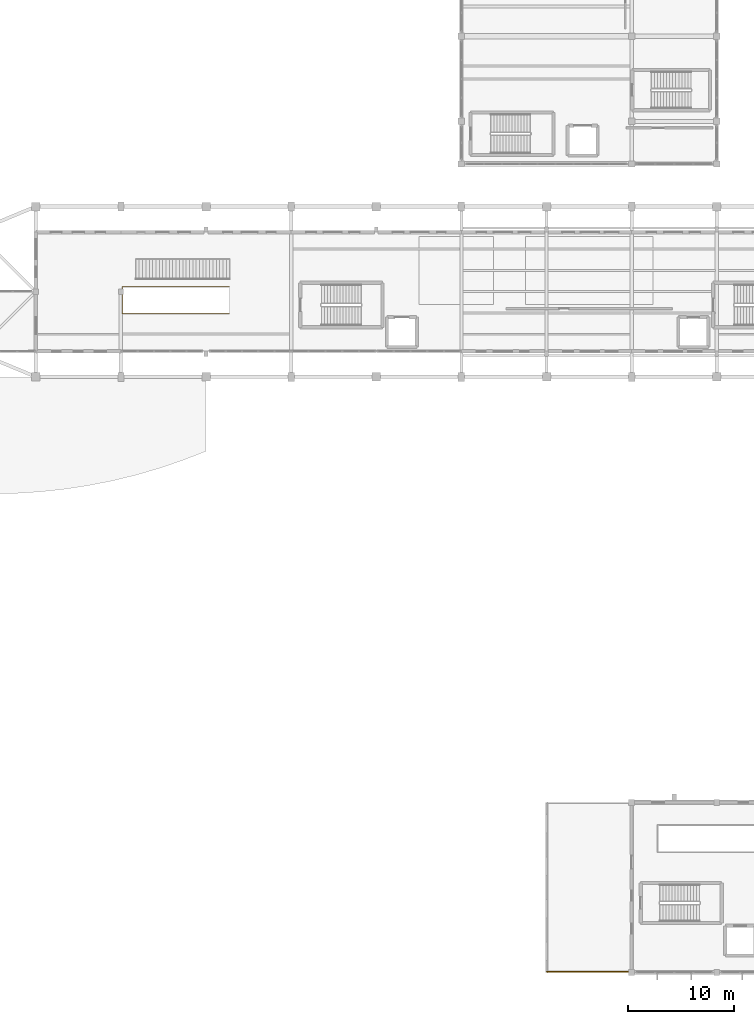
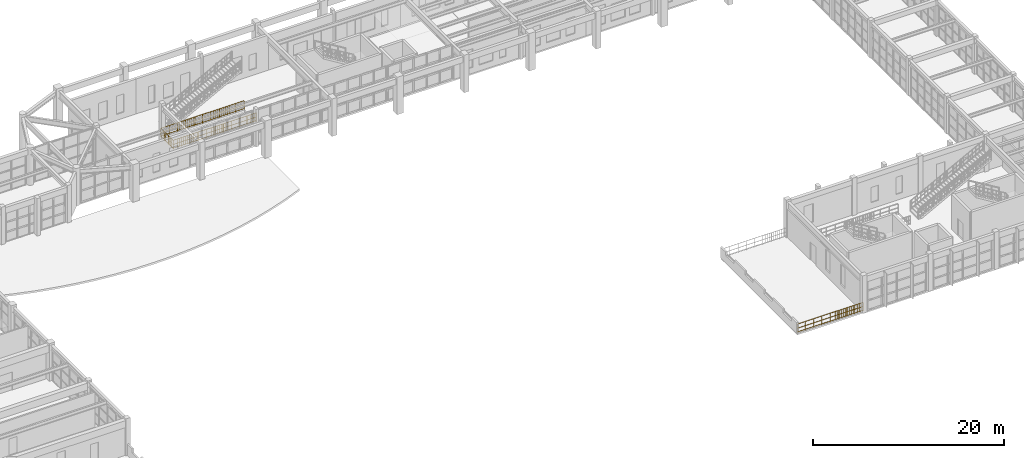
# One storey, part 52 of 59: 2 railings.
"""IFC4 building model written with IfcOpenShell, lengths in metres."""

from ifc_helpers import new_model, si_unit, direction, frame, origin, origin_2d, place, context, subcontext, project, spatial, rectangle, extrude, material, layer, layer_set, type_object, element, save


model = new_model("IFC4")

# Units and contexts
model_context = context("Model", 3, precision=1e-05, world=origin(), true_north=direction((0.0, 1.0)))
body_context = subcontext(model_context, "Body", "Model", "MODEL_VIEW")
ifc_project = project(units=[si_unit("LENGTHUNIT", "METRE"), si_unit("AREAUNIT", "SQUARE_METRE"), si_unit("VOLUMEUNIT", "CUBIC_METRE"), si_unit("PLANEANGLEUNIT", "RADIAN"), si_unit("MASSUNIT", "GRAM", prefix="KILO")], contexts=[model_context])

# Site, building, storey
site_placement = place(None, origin())
site = spatial("IfcSite", under=ifc_project, at=site_placement, CompositionType="ELEMENT")
building_placement = place(site_placement, origin())
building = spatial("IfcBuilding", under=site, at=building_placement, Name="Serraluz Foothill Cableway Terminal", CompositionType="ELEMENT")
storey_placement = place(building_placement, frame((0.0, 0.0, 4.800048828125)))
storey = spatial("IfcBuildingStorey", under=building, at=storey_placement, Name="L01", CompositionType="ELEMENT", Elevation=4.800048828125)

# Railings
ifc_material = material(Name="Steel ASTM A572 Grade 50", Category="steel")
ifc_layer_1 = layer(ifc_material, 0.06005859375, Name="Steel ASTM A572 Grade 50", Category="steel")
ifc_layer_set_1 = layer_set([ifc_layer_1], Name="Steel ASTM A572 Grade 50")
railing_type_1 = type_object("IfcRailingType", Name="TYP-RL-BAL-1150", PredefinedType="BALUSTRADE", material=ifc_layer_set_1)
railing_1_placement = place(storey_placement, frame((88.0, 0.080078125, 0.0)))
element("IfcRailing", 1, at=railing_1_placement, inside=storey, type_object=railing_type_1, Name="BALUSTRADE BAL-TER-L01-V3-2", PredefinedType="BALUSTRADE", context=body_context, shape_type="SweptSolid", body=[
    extrude(rectangle(XDim=0.048095703125, YDim=0.048095703125, at=origin_2d()), frame((0.0, 0.0, 1.1259765625), z_axis=(1.0, 0.0, 0.0), x_axis=(0.0, 1.0, 0.0)), (0.0, 0.0, 1.0), 8.0),
    extrude(rectangle(XDim=0.048095703125, YDim=0.048095703125, at=origin_2d()), frame((0.0, 0.0, 0.597900390625), z_axis=(1.0, 0.0, 0.0), x_axis=(0.0, 1.0, 0.0)), (0.0, 0.0, 1.0), 8.0),
    extrude(rectangle(XDim=0.048095703125, YDim=0.048095703125, at=origin_2d()), frame((0.0, 0.0, 0.1201171875), z_axis=(1.0, 0.0, 0.0), x_axis=(0.0, 1.0, 0.0)), (0.0, 0.0, 1.0), 8.0),
    extrude(rectangle(XDim=0.02001953125, YDim=0.02001953125, at=origin_2d()), frame((0.242431640625, 0.0, 0.1201171875)), (0.0, 0.0, 1.0), 0.981689453125),
    extrude(rectangle(XDim=0.02001953125, YDim=0.02001953125, at=origin_2d()), frame((0.48486328125, 0.0, 0.1201171875)), (0.0, 0.0, 1.0), 0.981689453125),
    extrude(rectangle(XDim=0.02001953125, YDim=0.02001953125, at=origin_2d()), frame((0.727294921875, 0.0, 0.1201171875)), (0.0, 0.0, 1.0), 0.981689453125),
    extrude(rectangle(XDim=0.02001953125, YDim=0.02001953125, at=origin_2d()), frame((1.212158203125, 0.0, 0.1201171875)), (0.0, 0.0, 1.0), 0.981689453125),
    extrude(rectangle(XDim=0.02001953125, YDim=0.02001953125, at=origin_2d()), frame((1.45458984375, 0.0, 0.1201171875)), (0.0, 0.0, 1.0), 0.981689453125),
    extrude(rectangle(XDim=0.02001953125, YDim=0.02001953125, at=origin_2d()), frame((1.697021484375, 0.0, 0.1201171875)), (0.0, 0.0, 1.0), 0.981689453125),
    extrude(rectangle(XDim=0.02001953125, YDim=0.02001953125, at=origin_2d()), frame((1.939453125, 0.0, 0.1201171875)), (0.0, 0.0, 1.0), 0.981689453125),
    extrude(rectangle(XDim=0.02001953125, YDim=0.02001953125, at=origin_2d()), frame((2.181884765625, 0.0, 0.1201171875)), (0.0, 0.0, 1.0), 0.981689453125),
    extrude(rectangle(XDim=0.02001953125, YDim=0.02001953125, at=origin_2d()), frame((2.42431640625, 0.0, 0.1201171875)), (0.0, 0.0, 1.0), 0.981689453125),
    extrude(rectangle(XDim=0.02001953125, YDim=0.02001953125, at=origin_2d()), frame((2.666748046875, 0.0, 0.1201171875)), (0.0, 0.0, 1.0), 0.981689453125),
    extrude(rectangle(XDim=0.02001953125, YDim=0.02001953125, at=origin_2d()), frame((2.9091796875, 0.0, 0.1201171875)), (0.0, 0.0, 1.0), 0.981689453125),
    extrude(rectangle(XDim=0.02001953125, YDim=0.02001953125, at=origin_2d()), frame((3.151611328125, 0.0, 0.1201171875)), (0.0, 0.0, 1.0), 0.981689453125),
    extrude(rectangle(XDim=0.02001953125, YDim=0.02001953125, at=origin_2d()), frame((3.39404296875, 0.0, 0.1201171875)), (0.0, 0.0, 1.0), 0.981689453125),
    extrude(rectangle(XDim=0.02001953125, YDim=0.02001953125, at=origin_2d()), frame((3.636474609375, 0.0, 0.1201171875)), (0.0, 0.0, 1.0), 0.981689453125),
    extrude(rectangle(XDim=0.02001953125, YDim=0.02001953125, at=origin_2d()), frame((3.87890625, 0.0, 0.1201171875)), (0.0, 0.0, 1.0), 0.981689453125),
    extrude(rectangle(XDim=0.02001953125, YDim=0.02001953125, at=origin_2d()), frame((4.12109375, 0.0, 0.1201171875)), (0.0, 0.0, 1.0), 0.981689453125),
    extrude(rectangle(XDim=0.02001953125, YDim=0.02001953125, at=origin_2d()), frame((4.363525390625, 0.0, 0.1201171875)), (0.0, 0.0, 1.0), 0.981689453125),
    extrude(rectangle(XDim=0.02001953125, YDim=0.02001953125, at=origin_2d()), frame((4.60595703125, 0.0, 0.1201171875)), (0.0, 0.0, 1.0), 0.981689453125),
    extrude(rectangle(XDim=0.02001953125, YDim=0.02001953125, at=origin_2d()), frame((4.848388671875, 0.0, 0.1201171875)), (0.0, 0.0, 1.0), 0.981689453125),
    extrude(rectangle(XDim=0.02001953125, YDim=0.02001953125, at=origin_2d()), frame((5.0908203125, 0.0, 0.1201171875)), (0.0, 0.0, 1.0), 0.981689453125),
    extrude(rectangle(XDim=0.02001953125, YDim=0.02001953125, at=origin_2d()), frame((5.333251953125, 0.0, 0.1201171875)), (0.0, 0.0, 1.0), 0.981689453125),
    extrude(rectangle(XDim=0.02001953125, YDim=0.02001953125, at=origin_2d()), frame((5.57568359375, 0.0, 0.1201171875)), (0.0, 0.0, 1.0), 0.981689453125),
    extrude(rectangle(XDim=0.02001953125, YDim=0.02001953125, at=origin_2d()), frame((5.818115234375, 0.0, 0.1201171875)), (0.0, 0.0, 1.0), 0.981689453125),
    extrude(rectangle(XDim=0.02001953125, YDim=0.02001953125, at=origin_2d()), frame((6.060546875, 0.0, 0.1201171875)), (0.0, 0.0, 1.0), 0.981689453125),
    extrude(rectangle(XDim=0.02001953125, YDim=0.02001953125, at=origin_2d()), frame((6.302978515625, 0.0, 0.1201171875)), (0.0, 0.0, 1.0), 0.981689453125),
    extrude(rectangle(XDim=0.02001953125, YDim=0.02001953125, at=origin_2d()), frame((6.54541015625, 0.0, 0.1201171875)), (0.0, 0.0, 1.0), 0.981689453125),
    extrude(rectangle(XDim=0.02001953125, YDim=0.02001953125, at=origin_2d()), frame((6.787841796875, 0.0, 0.1201171875)), (0.0, 0.0, 1.0), 0.981689453125),
    extrude(rectangle(XDim=0.02001953125, YDim=0.02001953125, at=origin_2d()), frame((7.272705078125, 0.0, 0.1201171875)), (0.0, 0.0, 1.0), 0.981689453125),
    extrude(rectangle(XDim=0.02001953125, YDim=0.02001953125, at=origin_2d()), frame((7.51513671875, 0.0, 0.1201171875)), (0.0, 0.0, 1.0), 0.981689453125),
    extrude(rectangle(XDim=0.02001953125, YDim=0.02001953125, at=origin_2d()), frame((7.757568359375, 0.0, 0.1201171875)), (0.0, 0.0, 1.0), 0.981689453125),
    extrude(rectangle(XDim=0.0439453125, YDim=0.0439453125, at=origin_2d()), origin(), (0.0, 0.0, 1.0), 1.101806640625),
    extrude(rectangle(XDim=0.0439453125, YDim=0.0439453125, at=origin_2d()), frame((1.0, 0.0, 0.0)), (0.0, 0.0, 1.0), 1.101806640625),
    extrude(rectangle(XDim=0.0439453125, YDim=0.0439453125, at=origin_2d()), frame((2.0, 0.0, 0.0)), (0.0, 0.0, 1.0), 1.101806640625),
    extrude(rectangle(XDim=0.0439453125, YDim=0.0439453125, at=origin_2d()), frame((3.0, 0.0, 0.0)), (0.0, 0.0, 1.0), 1.101806640625),
    extrude(rectangle(XDim=0.0439453125, YDim=0.0439453125, at=origin_2d()), frame((4.0, 0.0, 0.0)), (0.0, 0.0, 1.0), 1.101806640625),
    extrude(rectangle(XDim=0.0439453125, YDim=0.0439453125, at=origin_2d()), frame((5.0, 0.0, 0.0)), (0.0, 0.0, 1.0), 1.101806640625),
    extrude(rectangle(XDim=0.0439453125, YDim=0.0439453125, at=origin_2d()), frame((6.0, 0.0, 0.0)), (0.0, 0.0, 1.0), 1.101806640625),
    extrude(rectangle(XDim=0.0439453125, YDim=0.0439453125, at=origin_2d()), frame((7.0, 0.0, 0.0)), (0.0, 0.0, 1.0), 1.101806640625),
    extrude(rectangle(XDim=0.0439453125, YDim=0.0439453125, at=origin_2d()), frame((8.0, 0.0, 0.0)), (0.0, 0.0, 1.0), 1.101806640625),
])
ifc_layer_2 = layer(ifc_material, 0.054931640625, Name="Steel ASTM A572 Grade 50", Category="steel")
ifc_layer_set_2 = layer_set([ifc_layer_2], Name="Steel ASTM A572 Grade 50")
railing_type_2 = type_object("IfcRailingType", Name="TYP-RL-GRD-1150", PredefinedType="GUARDRAIL", material=ifc_layer_set_2)
railing_2_placement = place(storey_placement, frame((58.199951171875, 61.919921875, 0.0)))
element("IfcRailing", 2, at=railing_2_placement, inside=storey, type_object=railing_type_2, Name="GUARDRAIL ST-F01 Upper Well", PredefinedType="GUARDRAIL", context=body_context, shape_type="SweptSolid", body=[
    extrude(rectangle(XDim=0.048095703125, YDim=0.048095703125, at=origin_2d()), frame((0.0, 0.0, 1.1259765625), z_axis=(-1.0, 0.0, 0.0), x_axis=(0.0, -1.0, 0.0)), (0.0, 0.0, 1.0), 10.079833984375),
    extrude(rectangle(XDim=0.048095703125, YDim=0.048095703125, at=origin_2d()), frame((0.0, 0.0, 0.597900390625), z_axis=(-1.0, 0.0, 0.0), x_axis=(0.0, -1.0, 0.0)), (0.0, 0.0, 1.0), 10.079833984375),
    extrude(rectangle(XDim=0.048095703125, YDim=0.048095703125, at=origin_2d()), frame((0.0, 0.0, 0.1201171875), z_axis=(-1.0, 0.0, 0.0), x_axis=(0.0, -1.0, 0.0)), (0.0, 0.0, 1.0), 10.079833984375),
    extrude(rectangle(XDim=0.02001953125, YDim=0.02001953125, at=origin_2d()), frame((-0.245849609375, 0.0, 0.1201171875)), (0.0, 0.0, 1.0), 0.981689453125),
    extrude(rectangle(XDim=0.02001953125, YDim=0.02001953125, at=origin_2d()), frame((-0.49169921875, 0.0, 0.1201171875)), (0.0, 0.0, 1.0), 0.981689453125),
    extrude(rectangle(XDim=0.02001953125, YDim=0.02001953125, at=origin_2d()), frame((-0.737548828125, 0.0, 0.1201171875)), (0.0, 0.0, 1.0), 0.981689453125),
    extrude(rectangle(XDim=0.02001953125, YDim=0.02001953125, at=origin_2d()), frame((-1.229248046875, 0.0, 0.1201171875)), (0.0, 0.0, 1.0), 0.981689453125),
    extrude(rectangle(XDim=0.02001953125, YDim=0.02001953125, at=origin_2d()), frame((-1.47509765625, 0.0, 0.1201171875)), (0.0, 0.0, 1.0), 0.981689453125),
    extrude(rectangle(XDim=0.02001953125, YDim=0.02001953125, at=origin_2d()), frame((-1.720947265625, 0.0, 0.1201171875)), (0.0, 0.0, 1.0), 0.981689453125),
    extrude(rectangle(XDim=0.02001953125, YDim=0.02001953125, at=origin_2d()), frame((-2.212646484375, 0.0, 0.1201171875)), (0.0, 0.0, 1.0), 0.981689453125),
    extrude(rectangle(XDim=0.02001953125, YDim=0.02001953125, at=origin_2d()), frame((-2.45849609375, 0.0, 0.1201171875)), (0.0, 0.0, 1.0), 0.981689453125),
    extrude(rectangle(XDim=0.02001953125, YDim=0.02001953125, at=origin_2d()), frame((-2.704345703125, 0.0, 0.1201171875)), (0.0, 0.0, 1.0), 0.981689453125),
    extrude(rectangle(XDim=0.02001953125, YDim=0.02001953125, at=origin_2d()), frame((-2.9501953125, 0.0, 0.1201171875)), (0.0, 0.0, 1.0), 0.981689453125),
    extrude(rectangle(XDim=0.02001953125, YDim=0.02001953125, at=origin_2d()), frame((-3.196044921875, 0.0, 0.1201171875)), (0.0, 0.0, 1.0), 0.981689453125),
    extrude(rectangle(XDim=0.02001953125, YDim=0.02001953125, at=origin_2d()), frame((-3.44189453125, 0.0, 0.1201171875)), (0.0, 0.0, 1.0), 0.981689453125),
    extrude(rectangle(XDim=0.02001953125, YDim=0.02001953125, at=origin_2d()), frame((-3.687744140625, 0.0, 0.1201171875)), (0.0, 0.0, 1.0), 0.981689453125),
    extrude(rectangle(XDim=0.02001953125, YDim=0.02001953125, at=origin_2d()), frame((-3.93359375, 0.0, 0.1201171875)), (0.0, 0.0, 1.0), 0.981689453125),
    extrude(rectangle(XDim=0.02001953125, YDim=0.02001953125, at=origin_2d()), frame((-4.179443359375, 0.0, 0.1201171875)), (0.0, 0.0, 1.0), 0.981689453125),
    extrude(rectangle(XDim=0.02001953125, YDim=0.02001953125, at=origin_2d()), frame((-4.42529296875, 0.0, 0.1201171875)), (0.0, 0.0, 1.0), 0.981689453125),
    extrude(rectangle(XDim=0.02001953125, YDim=0.02001953125, at=origin_2d()), frame((-4.671142578125, 0.0, 0.1201171875)), (0.0, 0.0, 1.0), 0.981689453125),
    extrude(rectangle(XDim=0.02001953125, YDim=0.02001953125, at=origin_2d()), frame((-4.9169921875, 0.0, 0.1201171875)), (0.0, 0.0, 1.0), 0.981689453125),
    extrude(rectangle(XDim=0.02001953125, YDim=0.02001953125, at=origin_2d()), frame((-5.162841796875, 0.0, 0.1201171875)), (0.0, 0.0, 1.0), 0.981689453125),
    extrude(rectangle(XDim=0.02001953125, YDim=0.02001953125, at=origin_2d()), frame((-5.40869140625, 0.0, 0.1201171875)), (0.0, 0.0, 1.0), 0.981689453125),
    extrude(rectangle(XDim=0.02001953125, YDim=0.02001953125, at=origin_2d()), frame((-5.654541015625, 0.0, 0.1201171875)), (0.0, 0.0, 1.0), 0.981689453125),
    extrude(rectangle(XDim=0.02001953125, YDim=0.02001953125, at=origin_2d()), frame((-5.900390625, 0.0, 0.1201171875)), (0.0, 0.0, 1.0), 0.981689453125),
    extrude(rectangle(XDim=0.02001953125, YDim=0.02001953125, at=origin_2d()), frame((-6.146240234375, 0.0, 0.1201171875)), (0.0, 0.0, 1.0), 0.981689453125),
    extrude(rectangle(XDim=0.02001953125, YDim=0.02001953125, at=origin_2d()), frame((-6.39208984375, 0.0, 0.1201171875)), (0.0, 0.0, 1.0), 0.981689453125),
    extrude(rectangle(XDim=0.02001953125, YDim=0.02001953125, at=origin_2d()), frame((-6.637939453125, 0.0, 0.1201171875)), (0.0, 0.0, 1.0), 0.981689453125),
    extrude(rectangle(XDim=0.02001953125, YDim=0.02001953125, at=origin_2d()), frame((-6.8837890625, 0.0, 0.1201171875)), (0.0, 0.0, 1.0), 0.981689453125),
    extrude(rectangle(XDim=0.02001953125, YDim=0.02001953125, at=origin_2d()), frame((-7.129638671875, 0.0, 0.1201171875)), (0.0, 0.0, 1.0), 0.981689453125),
    extrude(rectangle(XDim=0.02001953125, YDim=0.02001953125, at=origin_2d()), frame((-7.37548828125, 0.0, 0.1201171875)), (0.0, 0.0, 1.0), 0.981689453125),
    extrude(rectangle(XDim=0.02001953125, YDim=0.02001953125, at=origin_2d()), frame((-7.621337890625, 0.0, 0.1201171875)), (0.0, 0.0, 1.0), 0.981689453125),
    extrude(rectangle(XDim=0.02001953125, YDim=0.02001953125, at=origin_2d()), frame((-7.8671875, 0.0, 0.1201171875)), (0.0, 0.0, 1.0), 0.981689453125),
    extrude(rectangle(XDim=0.02001953125, YDim=0.02001953125, at=origin_2d()), frame((-8.35888671875, 0.0, 0.1201171875)), (0.0, 0.0, 1.0), 0.981689453125),
    extrude(rectangle(XDim=0.02001953125, YDim=0.02001953125, at=origin_2d()), frame((-8.604736328125, 0.0, 0.1201171875)), (0.0, 0.0, 1.0), 0.981689453125),
    extrude(rectangle(XDim=0.02001953125, YDim=0.02001953125, at=origin_2d()), frame((-8.8505859375, 0.0, 0.1201171875)), (0.0, 0.0, 1.0), 0.981689453125),
    extrude(rectangle(XDim=0.02001953125, YDim=0.02001953125, at=origin_2d()), frame((-9.34228515625, 0.0, 0.1201171875)), (0.0, 0.0, 1.0), 0.981689453125),
    extrude(rectangle(XDim=0.02001953125, YDim=0.02001953125, at=origin_2d()), frame((-9.588134765625, 0.0, 0.1201171875)), (0.0, 0.0, 1.0), 0.981689453125),
    extrude(rectangle(XDim=0.02001953125, YDim=0.02001953125, at=origin_2d()), frame((-9.833984375, 0.0, 0.1201171875)), (0.0, 0.0, 1.0), 0.981689453125),
    extrude(rectangle(XDim=0.048095703125, YDim=0.048095703125, at=origin_2d()), frame((-10.079833984375, 0.0, 1.1259765625), z_axis=(0.0, 1.0, 0.0), x_axis=(-1.0, 0.0, 0.0)), (0.0, 0.0, 1.0), 2.56005859375),
    extrude(rectangle(XDim=0.048095703125, YDim=0.048095703125, at=origin_2d()), frame((-10.079833984375, 0.0, 0.597900390625), z_axis=(0.0, 1.0, 0.0), x_axis=(-1.0, 0.0, 0.0)), (0.0, 0.0, 1.0), 2.56005859375),
    extrude(rectangle(XDim=0.048095703125, YDim=0.048095703125, at=origin_2d()), frame((-10.079833984375, 0.0, 0.1201171875), z_axis=(0.0, 1.0, 0.0), x_axis=(-1.0, 0.0, 0.0)), (0.0, 0.0, 1.0), 2.56005859375),
    extrude(rectangle(XDim=0.02001953125, YDim=0.02001953125, at=origin_2d()), frame((-10.079833984375, 0.256103515625, 0.1201171875)), (0.0, 0.0, 1.0), 0.981689453125),
    extrude(rectangle(XDim=0.02001953125, YDim=0.02001953125, at=origin_2d()), frame((-10.079833984375, 0.511962890625, 0.1201171875)), (0.0, 0.0, 1.0), 0.981689453125),
    extrude(rectangle(XDim=0.02001953125, YDim=0.02001953125, at=origin_2d()), frame((-10.079833984375, 0.76806640625, 0.1201171875)), (0.0, 0.0, 1.0), 0.981689453125),
    extrude(rectangle(XDim=0.02001953125, YDim=0.02001953125, at=origin_2d()), frame((-10.079833984375, 1.02392578125, 0.1201171875)), (0.0, 0.0, 1.0), 0.981689453125),
    extrude(rectangle(XDim=0.02001953125, YDim=0.02001953125, at=origin_2d()), frame((-10.079833984375, 1.280029296875, 0.1201171875)), (0.0, 0.0, 1.0), 0.981689453125),
    extrude(rectangle(XDim=0.02001953125, YDim=0.02001953125, at=origin_2d()), frame((-10.079833984375, 1.5361328125, 0.1201171875)), (0.0, 0.0, 1.0), 0.981689453125),
    extrude(rectangle(XDim=0.02001953125, YDim=0.02001953125, at=origin_2d()), frame((-10.079833984375, 1.7919921875, 0.1201171875)), (0.0, 0.0, 1.0), 0.981689453125),
    extrude(rectangle(XDim=0.02001953125, YDim=0.02001953125, at=origin_2d()), frame((-10.079833984375, 2.048095703125, 0.1201171875)), (0.0, 0.0, 1.0), 0.981689453125),
    extrude(rectangle(XDim=0.02001953125, YDim=0.02001953125, at=origin_2d()), frame((-10.079833984375, 2.303955078125, 0.1201171875)), (0.0, 0.0, 1.0), 0.981689453125),
    extrude(rectangle(XDim=0.048095703125, YDim=0.048095703125, at=origin_2d()), frame((-10.079833984375, 2.56005859375, 1.1259765625), z_axis=(1.0, 0.0, 0.0), x_axis=(0.0, 1.0, 0.0)), (0.0, 0.0, 1.0), 10.079833984375),
    extrude(rectangle(XDim=0.048095703125, YDim=0.048095703125, at=origin_2d()), frame((-10.079833984375, 2.56005859375, 0.597900390625), z_axis=(1.0, 0.0, 0.0), x_axis=(0.0, 1.0, 0.0)), (0.0, 0.0, 1.0), 10.079833984375),
    extrude(rectangle(XDim=0.048095703125, YDim=0.048095703125, at=origin_2d()), frame((-10.079833984375, 2.56005859375, 0.1201171875), z_axis=(1.0, 0.0, 0.0), x_axis=(0.0, 1.0, 0.0)), (0.0, 0.0, 1.0), 10.079833984375),
    extrude(rectangle(XDim=0.02001953125, YDim=0.02001953125, at=origin_2d()), frame((-9.833984375, 2.56005859375, 0.1201171875)), (0.0, 0.0, 1.0), 0.981689453125),
    extrude(rectangle(XDim=0.02001953125, YDim=0.02001953125, at=origin_2d()), frame((-9.588134765625, 2.56005859375, 0.1201171875)), (0.0, 0.0, 1.0), 0.981689453125),
    extrude(rectangle(XDim=0.02001953125, YDim=0.02001953125, at=origin_2d()), frame((-9.34228515625, 2.56005859375, 0.1201171875)), (0.0, 0.0, 1.0), 0.981689453125),
    extrude(rectangle(XDim=0.02001953125, YDim=0.02001953125, at=origin_2d()), frame((-8.8505859375, 2.56005859375, 0.1201171875)), (0.0, 0.0, 1.0), 0.981689453125),
    extrude(rectangle(XDim=0.02001953125, YDim=0.02001953125, at=origin_2d()), frame((-8.604736328125, 2.56005859375, 0.1201171875)), (0.0, 0.0, 1.0), 0.981689453125),
    extrude(rectangle(XDim=0.02001953125, YDim=0.02001953125, at=origin_2d()), frame((-8.35888671875, 2.56005859375, 0.1201171875)), (0.0, 0.0, 1.0), 0.981689453125),
    extrude(rectangle(XDim=0.02001953125, YDim=0.02001953125, at=origin_2d()), frame((-7.8671875, 2.56005859375, 0.1201171875)), (0.0, 0.0, 1.0), 0.981689453125),
    extrude(rectangle(XDim=0.02001953125, YDim=0.02001953125, at=origin_2d()), frame((-7.621337890625, 2.56005859375, 0.1201171875)), (0.0, 0.0, 1.0), 0.981689453125),
    extrude(rectangle(XDim=0.02001953125, YDim=0.02001953125, at=origin_2d()), frame((-7.37548828125, 2.56005859375, 0.1201171875)), (0.0, 0.0, 1.0), 0.981689453125),
    extrude(rectangle(XDim=0.02001953125, YDim=0.02001953125, at=origin_2d()), frame((-7.129638671875, 2.56005859375, 0.1201171875)), (0.0, 0.0, 1.0), 0.981689453125),
    extrude(rectangle(XDim=0.02001953125, YDim=0.02001953125, at=origin_2d()), frame((-6.8837890625, 2.56005859375, 0.1201171875)), (0.0, 0.0, 1.0), 0.981689453125),
    extrude(rectangle(XDim=0.02001953125, YDim=0.02001953125, at=origin_2d()), frame((-6.637939453125, 2.56005859375, 0.1201171875)), (0.0, 0.0, 1.0), 0.981689453125),
    extrude(rectangle(XDim=0.02001953125, YDim=0.02001953125, at=origin_2d()), frame((-6.39208984375, 2.56005859375, 0.1201171875)), (0.0, 0.0, 1.0), 0.981689453125),
    extrude(rectangle(XDim=0.02001953125, YDim=0.02001953125, at=origin_2d()), frame((-6.146240234375, 2.56005859375, 0.1201171875)), (0.0, 0.0, 1.0), 0.981689453125),
    extrude(rectangle(XDim=0.02001953125, YDim=0.02001953125, at=origin_2d()), frame((-5.900390625, 2.56005859375, 0.1201171875)), (0.0, 0.0, 1.0), 0.981689453125),
    extrude(rectangle(XDim=0.02001953125, YDim=0.02001953125, at=origin_2d()), frame((-5.654541015625, 2.56005859375, 0.1201171875)), (0.0, 0.0, 1.0), 0.981689453125),
    extrude(rectangle(XDim=0.02001953125, YDim=0.02001953125, at=origin_2d()), frame((-5.40869140625, 2.56005859375, 0.1201171875)), (0.0, 0.0, 1.0), 0.981689453125),
    extrude(rectangle(XDim=0.02001953125, YDim=0.02001953125, at=origin_2d()), frame((-5.162841796875, 2.56005859375, 0.1201171875)), (0.0, 0.0, 1.0), 0.981689453125),
    extrude(rectangle(XDim=0.02001953125, YDim=0.02001953125, at=origin_2d()), frame((-4.9169921875, 2.56005859375, 0.1201171875)), (0.0, 0.0, 1.0), 0.981689453125),
    extrude(rectangle(XDim=0.02001953125, YDim=0.02001953125, at=origin_2d()), frame((-4.671142578125, 2.56005859375, 0.1201171875)), (0.0, 0.0, 1.0), 0.981689453125),
    extrude(rectangle(XDim=0.02001953125, YDim=0.02001953125, at=origin_2d()), frame((-4.42529296875, 2.56005859375, 0.1201171875)), (0.0, 0.0, 1.0), 0.981689453125),
    extrude(rectangle(XDim=0.02001953125, YDim=0.02001953125, at=origin_2d()), frame((-4.179443359375, 2.56005859375, 0.1201171875)), (0.0, 0.0, 1.0), 0.981689453125),
    extrude(rectangle(XDim=0.02001953125, YDim=0.02001953125, at=origin_2d()), frame((-3.93359375, 2.56005859375, 0.1201171875)), (0.0, 0.0, 1.0), 0.981689453125),
    extrude(rectangle(XDim=0.02001953125, YDim=0.02001953125, at=origin_2d()), frame((-3.687744140625, 2.56005859375, 0.1201171875)), (0.0, 0.0, 1.0), 0.981689453125),
    extrude(rectangle(XDim=0.02001953125, YDim=0.02001953125, at=origin_2d()), frame((-3.44189453125, 2.56005859375, 0.1201171875)), (0.0, 0.0, 1.0), 0.981689453125),
    extrude(rectangle(XDim=0.02001953125, YDim=0.02001953125, at=origin_2d()), frame((-3.196044921875, 2.56005859375, 0.1201171875)), (0.0, 0.0, 1.0), 0.981689453125),
    extrude(rectangle(XDim=0.02001953125, YDim=0.02001953125, at=origin_2d()), frame((-2.9501953125, 2.56005859375, 0.1201171875)), (0.0, 0.0, 1.0), 0.981689453125),
    extrude(rectangle(XDim=0.02001953125, YDim=0.02001953125, at=origin_2d()), frame((-2.704345703125, 2.56005859375, 0.1201171875)), (0.0, 0.0, 1.0), 0.981689453125),
    extrude(rectangle(XDim=0.02001953125, YDim=0.02001953125, at=origin_2d()), frame((-2.45849609375, 2.56005859375, 0.1201171875)), (0.0, 0.0, 1.0), 0.981689453125),
    extrude(rectangle(XDim=0.02001953125, YDim=0.02001953125, at=origin_2d()), frame((-2.212646484375, 2.56005859375, 0.1201171875)), (0.0, 0.0, 1.0), 0.981689453125),
    extrude(rectangle(XDim=0.02001953125, YDim=0.02001953125, at=origin_2d()), frame((-1.720947265625, 2.56005859375, 0.1201171875)), (0.0, 0.0, 1.0), 0.981689453125),
    extrude(rectangle(XDim=0.02001953125, YDim=0.02001953125, at=origin_2d()), frame((-1.47509765625, 2.56005859375, 0.1201171875)), (0.0, 0.0, 1.0), 0.981689453125),
    extrude(rectangle(XDim=0.02001953125, YDim=0.02001953125, at=origin_2d()), frame((-1.229248046875, 2.56005859375, 0.1201171875)), (0.0, 0.0, 1.0), 0.981689453125),
    extrude(rectangle(XDim=0.02001953125, YDim=0.02001953125, at=origin_2d()), frame((-0.737548828125, 2.56005859375, 0.1201171875)), (0.0, 0.0, 1.0), 0.981689453125),
    extrude(rectangle(XDim=0.02001953125, YDim=0.02001953125, at=origin_2d()), frame((-0.49169921875, 2.56005859375, 0.1201171875)), (0.0, 0.0, 1.0), 0.981689453125),
    extrude(rectangle(XDim=0.02001953125, YDim=0.02001953125, at=origin_2d()), frame((-0.245849609375, 2.56005859375, 0.1201171875)), (0.0, 0.0, 1.0), 0.981689453125),
    extrude(rectangle(XDim=0.0439453125, YDim=0.0439453125, at=origin_2d()), origin(), (0.0, 0.0, 1.0), 1.101806640625),
    extrude(rectangle(XDim=0.0439453125, YDim=0.0439453125, at=origin_2d()), frame((-1.008056640625, 0.0, 0.0)), (0.0, 0.0, 1.0), 1.101806640625),
    extrude(rectangle(XDim=0.0439453125, YDim=0.0439453125, at=origin_2d()), frame((-2.015869140625, 0.0, 0.0)), (0.0, 0.0, 1.0), 1.101806640625),
    extrude(rectangle(XDim=0.0439453125, YDim=0.0439453125, at=origin_2d()), frame((-3.02392578125, 0.0, 0.0)), (0.0, 0.0, 1.0), 1.101806640625),
    extrude(rectangle(XDim=0.0439453125, YDim=0.0439453125, at=origin_2d()), frame((-4.031982421875, 0.0, 0.0)), (0.0, 0.0, 1.0), 1.101806640625),
    extrude(rectangle(XDim=0.0439453125, YDim=0.0439453125, at=origin_2d()), frame((-5.0400390625, 0.0, 0.0)), (0.0, 0.0, 1.0), 1.101806640625),
    extrude(rectangle(XDim=0.0439453125, YDim=0.0439453125, at=origin_2d()), frame((-6.0478515625, 0.0, 0.0)), (0.0, 0.0, 1.0), 1.101806640625),
    extrude(rectangle(XDim=0.0439453125, YDim=0.0439453125, at=origin_2d()), frame((-7.055908203125, 0.0, 0.0)), (0.0, 0.0, 1.0), 1.101806640625),
    extrude(rectangle(XDim=0.0439453125, YDim=0.0439453125, at=origin_2d()), frame((-8.06396484375, 0.0, 0.0)), (0.0, 0.0, 1.0), 1.101806640625),
    extrude(rectangle(XDim=0.0439453125, YDim=0.0439453125, at=origin_2d()), frame((-9.07177734375, 0.0, 0.0)), (0.0, 0.0, 1.0), 1.101806640625),
    extrude(rectangle(XDim=0.0439453125, YDim=0.0439453125, at=origin_2d()), frame((-10.079833984375, 0.0, 0.0)), (0.0, 0.0, 1.0), 1.101806640625),
    extrude(rectangle(XDim=0.0439453125, YDim=0.0439453125, at=origin_2d()), frame((-10.079833984375, 0.853271484375, 0.0)), (0.0, 0.0, 1.0), 1.101806640625),
    extrude(rectangle(XDim=0.0439453125, YDim=0.0439453125, at=origin_2d()), frame((-10.079833984375, 1.706787109375, 0.0)), (0.0, 0.0, 1.0), 1.101806640625),
    extrude(rectangle(XDim=0.0439453125, YDim=0.0439453125, at=origin_2d()), frame((-10.079833984375, 2.56005859375, 0.0)), (0.0, 0.0, 1.0), 1.101806640625),
    extrude(rectangle(XDim=0.0439453125, YDim=0.0439453125, at=origin_2d()), frame((-9.07177734375, 2.56005859375, 0.0)), (0.0, 0.0, 1.0), 1.101806640625),
    extrude(rectangle(XDim=0.0439453125, YDim=0.0439453125, at=origin_2d()), frame((-8.06396484375, 2.56005859375, 0.0)), (0.0, 0.0, 1.0), 1.101806640625),
    extrude(rectangle(XDim=0.0439453125, YDim=0.0439453125, at=origin_2d()), frame((-7.055908203125, 2.56005859375, 0.0)), (0.0, 0.0, 1.0), 1.101806640625),
    extrude(rectangle(XDim=0.0439453125, YDim=0.0439453125, at=origin_2d()), frame((-6.0478515625, 2.56005859375, 0.0)), (0.0, 0.0, 1.0), 1.101806640625),
    extrude(rectangle(XDim=0.0439453125, YDim=0.0439453125, at=origin_2d()), frame((-5.0400390625, 2.56005859375, 0.0)), (0.0, 0.0, 1.0), 1.101806640625),
    extrude(rectangle(XDim=0.0439453125, YDim=0.0439453125, at=origin_2d()), frame((-4.031982421875, 2.56005859375, 0.0)), (0.0, 0.0, 1.0), 1.101806640625),
    extrude(rectangle(XDim=0.0439453125, YDim=0.0439453125, at=origin_2d()), frame((-3.02392578125, 2.56005859375, 0.0)), (0.0, 0.0, 1.0), 1.101806640625),
    extrude(rectangle(XDim=0.0439453125, YDim=0.0439453125, at=origin_2d()), frame((-2.015869140625, 2.56005859375, 0.0)), (0.0, 0.0, 1.0), 1.101806640625),
    extrude(rectangle(XDim=0.0439453125, YDim=0.0439453125, at=origin_2d()), frame((-1.008056640625, 2.56005859375, 0.0)), (0.0, 0.0, 1.0), 1.101806640625),
    extrude(rectangle(XDim=0.0439453125, YDim=0.0439453125, at=origin_2d()), frame((0.0, 2.56005859375, 0.0)), (0.0, 0.0, 1.0), 1.101806640625),
])

save(model, "model.ifc")
